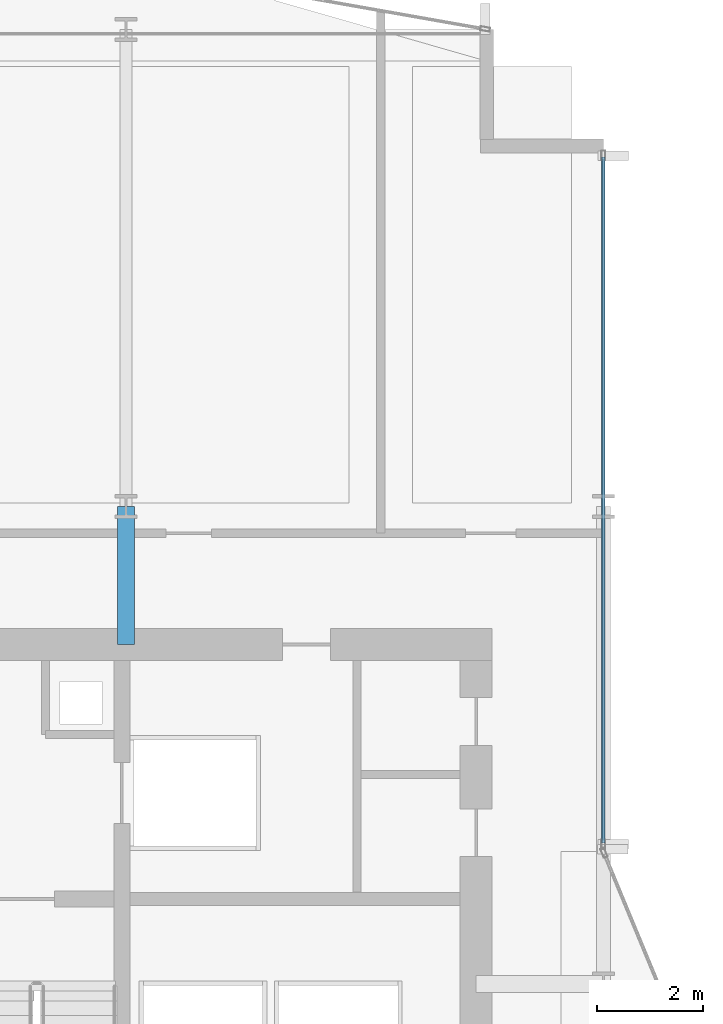
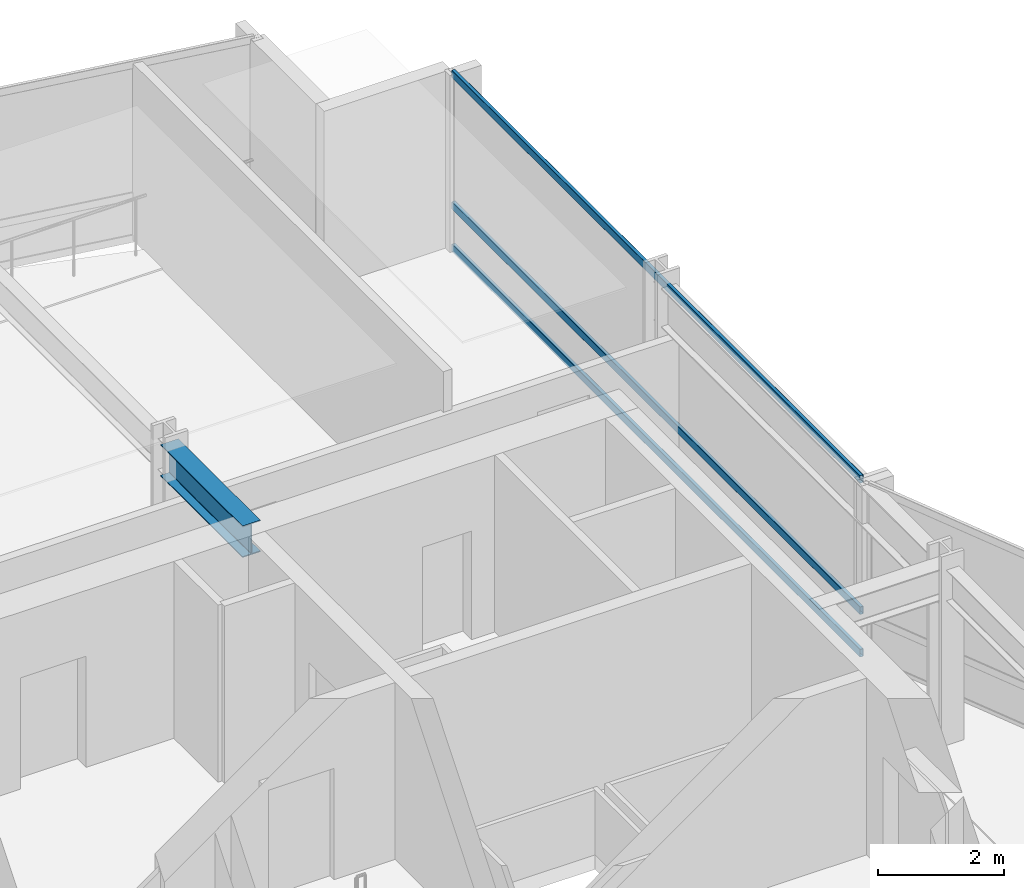
# One storey, part 18 of 29: 3 members, 1 beam, 1 element without a shape of its own.
"""IFC4 building model written with IfcOpenShell, lengths in metres."""

from ifc_helpers import new_model, si_unit, direction, frame, origin, origin_2d, place, context, subcontext, project, spatial, hollow_rectangle, i_section, extrude, material, layer, layer_set, material_profile, profile_set, type_object, element, aggregate, save


model = new_model("IFC4")

# Units and contexts
model_context = context("Model", 3, precision=1e-05, world=origin(), true_north=direction((0.0, 1.0)))
body_context = subcontext(model_context, "Body", "Model", "MODEL_VIEW")
ifc_project = project(units=[si_unit("LENGTHUNIT", "METRE"), si_unit("AREAUNIT", "SQUARE_METRE"), si_unit("VOLUMEUNIT", "CUBIC_METRE"), si_unit("PLANEANGLEUNIT", "RADIAN"), si_unit("MASSUNIT", "GRAM", prefix="KILO")], contexts=[model_context])

# Site, building, storey
site_placement = place(None, origin())
site = spatial("IfcSite", under=ifc_project, at=site_placement, CompositionType="ELEMENT")
building_placement = place(site_placement, origin())
building = spatial("IfcBuilding", under=site, at=building_placement, Name="Solvaryn Broadcast Tower", CompositionType="ELEMENT")
storey_placement = place(building_placement, frame((0.0, 0.0, 124.800048828125)))
storey = spatial("IfcBuildingStorey", under=building, at=storey_placement, Name="L30", CompositionType="ELEMENT", Elevation=124.800048828125)

# Beam
ifc_material_1 = material(Name="Steel ASTM A992 Grade 50", Category="steel")
ifc_material_profile_1 = material_profile(ifc_material_1, i_section(OverallWidth=0.323974609375, OverallDepth=0.611083984375, WebThickness=0.0126953125, FlangeThickness=0.01904296875, FilletRadius=0.014892578125, at=origin_2d()))
ifc_profile_set_1 = profile_set([ifc_material_profile_1], Name="Steel ASTM A992 Grade 50")
beam_type = type_object("IfcBeamType", Name="BM-B1-W24X104", PredefinedType="BEAM", material=ifc_profile_set_1)
beam_placement = place(storey_placement, frame((18.0, 42.39990234375, 3.114501953125), z_axis=(0.0, 1.0, 0.0), x_axis=(-1.0, 0.0, 0.0)))
element("IfcBeam", 1, at=beam_placement, inside=storey, type_object=beam_type, Name="L30 Core Tie Beam CTW3", PredefinedType="BEAM", context=body_context, shape_type="SweptSolid", body=[
    extrude(i_section(OverallWidth=0.323974609375, OverallDepth=0.611083984375, WebThickness=0.0126953125, FlangeThickness=0.01904296875, FilletRadius=0.014892578125, at=origin_2d()), origin(), (0.0, 0.0, 1.0), 2.60009765625),
])

# Curtain wall, members
ifc_material_2 = material(Name="Aluminium and Terracotta Unitised Curtain Wall", Category="masonry")
ifc_layer = layer(ifc_material_2, 0.199951171875)
ifc_layer_set = layer_set([ifc_layer], Name="CW-SYS2-LOWMID")
curtain_wall_type = type_object("IfcCurtainWallType", Name="CW-SYS2-LOWMID", PredefinedType="NOTDEFINED", material=ifc_layer_set)
curtain_wall_placement = place(storey_placement, origin())
curtain_wall = element("IfcCurtainWall", 2, at=curtain_wall_placement, inside=storey, type_object=curtain_wall_type, Name="L30 Curtain Wall IV", PredefinedType="NOTDEFINED")
ifc_material_3 = material(Name="Anodised Aluminium 6063-T6", Category="aluminium")
ifc_material_profile_2 = material_profile(ifc_material_3, hollow_rectangle(XDim=0.06494140625, YDim=0.14990234375, WallThickness=0.00390625, InnerFilletRadius=0.00390625, OuterFilletRadius=0.008056640625, at=origin_2d()))
ifc_profile_set_2 = profile_set([ifc_material_profile_2], Name="Anodised Aluminium 6063-T6")
member_type = type_object("IfcMemberType", Name="CW-TRN-150", PredefinedType="USERDEFINED", material=ifc_profile_set_2)
member_1_placement = place(storey_placement, frame((27.0, 51.590087890625, 0.030029296875), z_axis=(0.0, -1.0, 0.0), x_axis=(1.0, 0.0, 0.0)))
member_1 = element("IfcMember", 3, at=member_1_placement, type_object=member_type, Name="CWS2 transom 1.1", ObjectType="TRANSOM", PredefinedType="USERDEFINED", context=body_context, shape_type="SweptSolid", body=[
    extrude(hollow_rectangle(XDim=0.06494140625, YDim=0.14990234375, WallThickness=0.00390625, InnerFilletRadius=0.00390625, OuterFilletRadius=0.008056640625, at=origin_2d()), origin(), (0.0, 0.0, 1.0), 12.93017578125),
])
member_2_placement = place(storey_placement, frame((27.0, 51.590087890625, 0.849853515625), z_axis=(0.0, -1.0, 0.0), x_axis=(1.0, 0.0, 0.0)))
member_2 = element("IfcMember", 4, at=member_2_placement, type_object=member_type, Name="CWS2 transom 1.2", ObjectType="TRANSOM", PredefinedType="USERDEFINED", context=body_context, shape_type="SweptSolid", body=[
    extrude(hollow_rectangle(XDim=0.06494140625, YDim=0.14990234375, WallThickness=0.00390625, InnerFilletRadius=0.00390625, OuterFilletRadius=0.008056640625, at=origin_2d()), origin(), (0.0, 0.0, 1.0), 12.93017578125),
])
member_3_placement = place(storey_placement, frame((27.0, 51.590087890625, 3.389892578125), z_axis=(0.0, -1.0, 0.0), x_axis=(1.0, 0.0, 0.0)))
member_3 = element("IfcMember", 5, at=member_3_placement, type_object=member_type, Name="CWS2 transom 1.3", ObjectType="TRANSOM", PredefinedType="USERDEFINED", context=body_context, shape_type="SweptSolid", body=[
    extrude(hollow_rectangle(XDim=0.06494140625, YDim=0.14990234375, WallThickness=0.00390625, InnerFilletRadius=0.00390625, OuterFilletRadius=0.008056640625, at=origin_2d()), origin(), (0.0, 0.0, 1.0), 12.93017578125),
])
aggregate(curtain_wall, [member_1, member_2, member_3])

save(model, "model.ifc")
